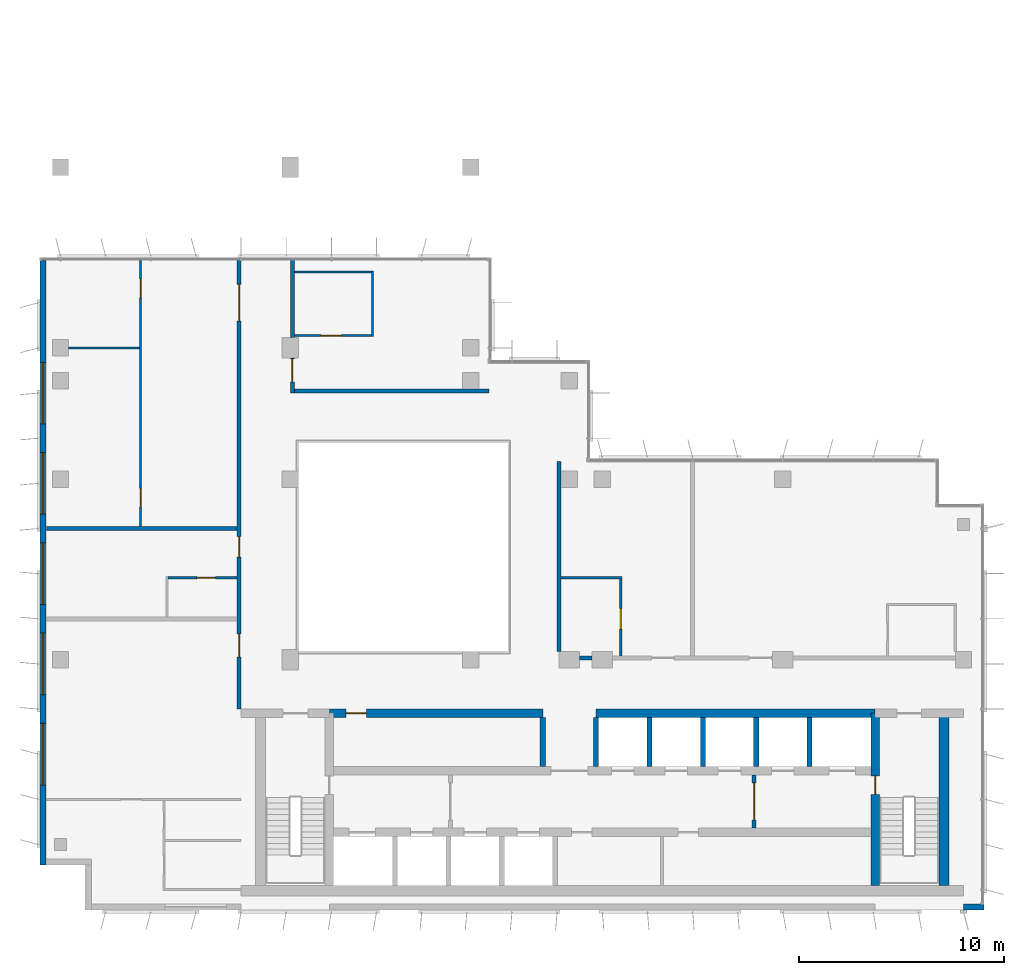
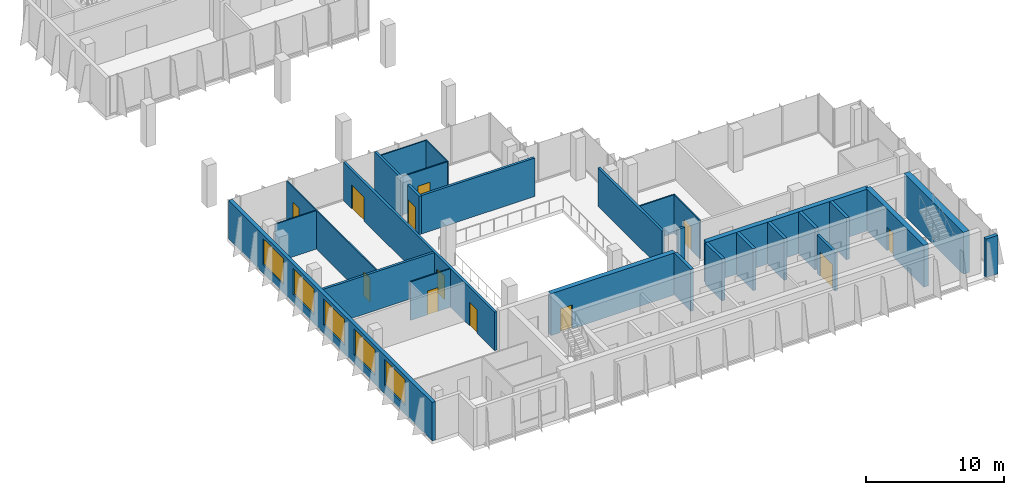
# One storey, part 10 of 14: 28 walls, 12 doors, 5 windows, 17 openings.
"""IFC4 building model written with IfcOpenShell, lengths in metres."""

from ifc_helpers import new_model, si_unit, direction, frame, frame_2d, origin, place, context, subcontext, project, spatial, rectangle, extrude, material, layer, layer_set, type_object, element, fill, save


model = new_model("IFC4")

# Units and contexts
model_context = context("Model", 3, precision=1e-05, world=origin(), true_north=direction((0.0, 1.0)))
body_context = subcontext(model_context, "Body", "Model", "MODEL_VIEW")
ifc_project = project(units=[si_unit("LENGTHUNIT", "METRE"), si_unit("AREAUNIT", "SQUARE_METRE"), si_unit("VOLUMEUNIT", "CUBIC_METRE"), si_unit("PLANEANGLEUNIT", "RADIAN"), si_unit("MASSUNIT", "GRAM", prefix="KILO")], contexts=[model_context])

# Site, building, storey
site_placement = place(None, origin())
site = spatial("IfcSite", under=ifc_project, at=site_placement, CompositionType="ELEMENT")
building_placement = place(site_placement, origin())
building = spatial("IfcBuilding", under=site, at=building_placement, Name="Kemantara Hotel Tower", CompositionType="ELEMENT")
storey_placement = place(building_placement, frame((0.0, 0.0, 248.699951171875)))
storey = spatial("IfcBuildingStorey", under=building, at=storey_placement, Name="L62", CompositionType="ELEMENT", Elevation=248.699951171875)

# Wall, openings, windows
ifc_material_1 = material(Name="Bronze anodised aluminium cladding on insulated steel stud wall", Category="steel")
ifc_layer_1 = layer(ifc_material_1, 0.300048828125)
ifc_layer_set_1 = layer_set([ifc_layer_1], Name="Bronze anodised aluminium cladding on insulated steel stud wall")
wall_type_1 = type_object("IfcWallType", Name="BRONZE METAL-CLAD EXTERNAL WALL 300", PredefinedType="STANDARD", material=ifc_layer_set_1)
wall_1_placement = place(storey_placement, frame((0.14990234375, 31.64990234375, 0.0), z_axis=(0.0, 0.0, 1.0), x_axis=(0.0, -1.0, 0.0)))
wall_1 = element("IfcWall", 1, at=wall_1_placement, inside=storey, type_object=wall_type_1, Name="EXTERNAL WALL L62 T4P-R02", PredefinedType="STANDARD", context=body_context, shape_type="SweptSolid", body=[
    extrude(rectangle(XDim=29.449951171875, YDim=0.300048828125, at=frame_2d((14.72509765625, 0.0))), origin(), (0.0, 0.0, 1.0), 3.400146484375),
])
opening_1_placement = place(wall_1_placement, frame((4.949951171875, 0.0, 0.75)))
opening_1 = element("IfcOpeningElement", 2, at=opening_1_placement, cuts=wall_1, Name="Opening W1", PredefinedType="OPENING", context=body_context, shape_type="SweptSolid", body=[
    extrude(rectangle(XDim=3.0, YDim=2.300048828125, at=frame_2d((1.5, 1.14990234375))), frame((0.0, 0.159912109375, 0.0), z_axis=(0.0, -1.0, 0.0), x_axis=(1.0, 0.0, 0.0)), (0.0, 0.0, 1.0), 0.320068359375),
])
opening_2_placement = place(wall_1_placement, frame((9.35009765625, 0.0, 0.75)))
opening_2 = element("IfcOpeningElement", 3, at=opening_2_placement, cuts=wall_1, Name="Opening W1", PredefinedType="OPENING", context=body_context, shape_type="SweptSolid", body=[
    extrude(rectangle(XDim=3.0, YDim=2.300048828125, at=frame_2d((1.5, 1.14990234375))), frame((0.0, 0.159912109375, 0.0), z_axis=(0.0, -1.0, 0.0), x_axis=(1.0, 0.0, 0.0)), (0.0, 0.0, 1.0), 0.320068359375),
])
opening_3_placement = place(wall_1_placement, frame((13.75, 0.0, 0.75)))
opening_3 = element("IfcOpeningElement", 4, at=opening_3_placement, cuts=wall_1, Name="Opening W1", PredefinedType="OPENING", context=body_context, shape_type="SweptSolid", body=[
    extrude(rectangle(XDim=3.0, YDim=2.300048828125, at=frame_2d((1.5, 1.14990234375))), frame((0.0, 0.159912109375, 0.0), z_axis=(0.0, -1.0, 0.0), x_axis=(1.0, 0.0, 0.0)), (0.0, 0.0, 1.0), 0.320068359375),
])
opening_4_placement = place(wall_1_placement, frame((18.14990234375, 0.0, 0.75)))
opening_4 = element("IfcOpeningElement", 5, at=opening_4_placement, cuts=wall_1, Name="Opening W1", PredefinedType="OPENING", context=body_context, shape_type="SweptSolid", body=[
    extrude(rectangle(XDim=3.0, YDim=2.300048828125, at=frame_2d((1.5, 1.14990234375))), frame((0.0, 0.159912109375, 0.0), z_axis=(0.0, -1.0, 0.0), x_axis=(1.0, 0.0, 0.0)), (0.0, 0.0, 1.0), 0.320068359375),
])
opening_5_placement = place(wall_1_placement, frame((22.550048828125, 0.0, 0.75)))
opening_5 = element("IfcOpeningElement", 6, at=opening_5_placement, cuts=wall_1, Name="Opening W1", PredefinedType="OPENING", context=body_context, shape_type="SweptSolid", body=[
    extrude(rectangle(XDim=3.0, YDim=2.300048828125, at=frame_2d((1.5, 1.14990234375))), frame((0.0, 0.159912109375, 0.0), z_axis=(0.0, -1.0, 0.0), x_axis=(1.0, 0.0, 0.0)), (0.0, 0.0, 1.0), 0.320068359375),
])
ifc_material_2 = material(Name="Low-E tinted double insulated glass in bronze anodised aluminium frame", Category="aluminium")
window_type = type_object("IfcWindowType", Name="CHICAGO WINDOW, TRIPLE PANEL 3000x2300", PartitioningType="TRIPLE_PANEL_VERTICAL", PredefinedType="WINDOW", material=ifc_material_2)
window_1_placement = place(opening_1_placement, origin())
window_1 = element("IfcWindow", 7, at=window_1_placement, inside=storey, type_object=window_type, Name="CHICAGO WINDOW L62 T4P-R02-66", OverallHeight=2.300048828125, OverallWidth=3.0, PartitioningType="SINGLE_PANEL", PredefinedType="WINDOW", context=body_context, shape_type="SweptSolid", body=[
    extrude(rectangle(XDim=3.0, YDim=2.300048828125, at=frame_2d((1.5, 1.14990234375))), frame((0.0, 0.030029296875, 0.0), z_axis=(0.0, -1.0, 0.0), x_axis=(1.0, 0.0, 0.0)), (0.0, 0.0, 1.0), 0.06005859375),
])
fill(opening_1, window_1)
window_2_placement = place(opening_2_placement, origin())
window_2 = element("IfcWindow", 8, at=window_2_placement, inside=storey, type_object=window_type, Name="CHICAGO WINDOW L62 T4P-R02-110", OverallHeight=2.300048828125, OverallWidth=3.0, PartitioningType="SINGLE_PANEL", PredefinedType="WINDOW", context=body_context, shape_type="SweptSolid", body=[
    extrude(rectangle(XDim=3.0, YDim=2.300048828125, at=frame_2d((1.5, 1.14990234375))), frame((0.0, 0.030029296875, 0.0), z_axis=(0.0, -1.0, 0.0), x_axis=(1.0, 0.0, 0.0)), (0.0, 0.0, 1.0), 0.06005859375),
])
fill(opening_2, window_2)
window_3_placement = place(opening_3_placement, origin())
window_3 = element("IfcWindow", 9, at=window_3_placement, inside=storey, type_object=window_type, Name="CHICAGO WINDOW L62 T4P-R02-154", OverallHeight=2.300048828125, OverallWidth=3.0, PartitioningType="SINGLE_PANEL", PredefinedType="WINDOW", context=body_context, shape_type="SweptSolid", body=[
    extrude(rectangle(XDim=3.0, YDim=2.300048828125, at=frame_2d((1.5, 1.14990234375))), frame((0.0, 0.030029296875, 0.0), z_axis=(0.0, -1.0, 0.0), x_axis=(1.0, 0.0, 0.0)), (0.0, 0.0, 1.0), 0.06005859375),
])
fill(opening_3, window_3)
window_4_placement = place(opening_4_placement, origin())
window_4 = element("IfcWindow", 10, at=window_4_placement, inside=storey, type_object=window_type, Name="CHICAGO WINDOW L62 T4P-R02-198", OverallHeight=2.300048828125, OverallWidth=3.0, PartitioningType="SINGLE_PANEL", PredefinedType="WINDOW", context=body_context, shape_type="SweptSolid", body=[
    extrude(rectangle(XDim=3.0, YDim=2.300048828125, at=frame_2d((1.5, 1.14990234375))), frame((0.0, 0.030029296875, 0.0), z_axis=(0.0, -1.0, 0.0), x_axis=(1.0, 0.0, 0.0)), (0.0, 0.0, 1.0), 0.06005859375),
])
fill(opening_4, window_4)
window_5_placement = place(opening_5_placement, origin())
window_5 = element("IfcWindow", 11, at=window_5_placement, inside=storey, type_object=window_type, Name="CHICAGO WINDOW L62 T4P-R02-242", OverallHeight=2.300048828125, OverallWidth=3.0, PartitioningType="SINGLE_PANEL", PredefinedType="WINDOW", context=body_context, shape_type="SweptSolid", body=[
    extrude(rectangle(XDim=3.0, YDim=2.300048828125, at=frame_2d((1.5, 1.14990234375))), frame((0.0, 0.030029296875, 0.0), z_axis=(0.0, -1.0, 0.0), x_axis=(1.0, 0.0, 0.0)), (0.0, 0.0, 1.0), 0.06005859375),
])
fill(opening_5, window_5)

# Walls
wall_2_placement = place(storey_placement, frame((45.0, 0.14990234375, 0.0), z_axis=(0.0, 0.0, 1.0), x_axis=(1.0, 0.0, 0.0)))
element("IfcWall", 12, at=wall_2_placement, inside=storey, type_object=wall_type_1, Name="EXTERNAL WALL L62 T4P-R05-3", PredefinedType="STANDARD", context=body_context, shape_type="SweptSolid", body=[
    extrude(rectangle(XDim=1.0, YDim=0.300048828125, at=frame_2d((0.5, 0.0))), origin(), (0.0, 0.0, 1.0), 3.400146484375),
])
ifc_material_3 = material(Name="Concrete fc 60 MPa", Category="concrete")
ifc_layer_2 = layer(ifc_material_3, 0.25)
ifc_layer_set_2 = layer_set([ifc_layer_2], Name="Concrete fc 60 MPa")
wall_type_2 = type_object("IfcWallType", Name="CORE WALL 250 FC60", PredefinedType="SHEAR", material=ifc_layer_set_2)
for number, where, z_axis, x_axis, name in (
    (13, (24.5, 7.0, 0.0), (0.0, 0.0, 1.0), (0.0, 1.0, 0.0), "CORE WALL CW-DN24.5"),
    (14, (27.10009765625, 7.0, 0.0), (0.0, 0.0, 1.0), (0.0, 1.0, 0.0), "CORE WALL CW-DN27.1"),
    (15, (29.699951171875, 7.0, 0.0), (0.0, 0.0, 1.0), (0.0, 1.0, 0.0), "CORE WALL CW-DN29.7"),
    (16, (32.300048828125, 7.0, 0.0), (0.0, 0.0, 1.0), (0.0, 1.0, 0.0), "CORE WALL CW-DN32.3"),
    (17, (34.89990234375, 7.0, 0.0), (0.0, 0.0, 1.0), (0.0, 1.0, 0.0), "CORE WALL CW-DN34.9"),
    (18, (37.5, 7.0, 0.0), (0.0, 0.0, 1.0), (0.0, 1.0, 0.0), "CORE WALL CW-DN37.5"),
):
    element("IfcWall", number, at=place(storey_placement, frame(where, z_axis=z_axis, x_axis=x_axis)), inside=storey, type_object=wall_type_2, Name=name, PredefinedType="SHEAR", context=body_context, shape_type="SweptSolid", body=[
        extrude(rectangle(XDim=2.39990234375, YDim=0.25, at=frame_2d((1.199951171875, 0.0))), origin(), (0.0, 0.0, 1.0), 3.699951171875),
    ])

# Wall, opening, door
ifc_layer_3 = layer(ifc_material_3, 0.39990234375)
ifc_layer_set_3 = layer_set([ifc_layer_3], Name="Concrete fc 60 MPa")
wall_type_3 = type_object("IfcWallType", Name="CORE WALL 400 FC60", PredefinedType="SHEAR", material=ifc_layer_set_3)
wall_3_placement = place(storey_placement, frame((14.10009765625, 9.60009765625, 0.0), z_axis=(0.0, 0.0, 1.0), x_axis=(1.0, 0.0, 0.0)))
wall_3 = element("IfcWall", 19, at=wall_3_placement, inside=storey, type_object=wall_type_3, Name="CORE WALL CW-NN1", PredefinedType="SHEAR", context=body_context, shape_type="SweptSolid", body=[
    extrude(rectangle(XDim=10.39990234375, YDim=0.39990234375, at=frame_2d((5.199951171875, 0.0))), origin(), (0.0, 0.0, 1.0), 3.699951171875),
])
opening_6_placement = place(wall_3_placement, frame((0.800048828125, 0.0, 0.0)))
opening_6 = element("IfcOpeningElement", 20, at=opening_6_placement, cuts=wall_3, Name="Opening C37-R-NW1", PredefinedType="OPENING", context=body_context, shape_type="SweptSolid", body=[
    extrude(rectangle(XDim=1.0, YDim=2.10009765625, at=frame_2d((0.5, 1.050048828125))), frame((0.0, 0.2099609375, 0.0), z_axis=(0.0, -1.0, 0.0), x_axis=(1.0, 0.0, 0.0)), (0.0, 0.0, 1.0), 0.419921875),
])
ifc_material_4 = material(Name="Steel fire door", Category="steel")
door_type_1 = type_object("IfcDoorType", Name="Fire door FD30S 1000 x 2100", OperationType="NOTDEFINED", PredefinedType="DOOR", material=ifc_material_4)
door_1_placement = place(opening_6_placement, frame((1.0, 0.0, 0.0), z_axis=(0.0, 0.0, 1.0), x_axis=(-1.0, 0.0, 0.0)))
door_1 = element("IfcDoor", 21, at=door_1_placement, inside=storey, type_object=door_type_1, Name="Housekeeping Store door", OperationType="SINGLE_SWING_RIGHT", OverallHeight=2.10009765625, OverallWidth=1.0, PredefinedType="DOOR", context=body_context, shape_type="SweptSolid", body=[
    extrude(rectangle(XDim=1.0, YDim=2.10009765625, at=frame_2d((0.5, 1.050048828125))), frame((0.0, 0.02490234375, 0.0), z_axis=(0.0, -1.0, 0.0), x_axis=(1.0, 0.0, 0.0)), (0.0, 0.0, 1.0), 0.050048828125),
])
fill(opening_6, door_1)

# Wall
wall_4_placement = place(storey_placement, frame((27.10009765625, 9.60009765625, 0.0), z_axis=(0.0, 0.0, 1.0), x_axis=(1.0, 0.0, 0.0)))
element("IfcWall", 22, at=wall_4_placement, inside=storey, type_object=wall_type_3, Name="CORE WALL CW-NN2", PredefinedType="SHEAR", context=body_context, shape_type="SweptSolid", body=[
    extrude(rectangle(XDim=13.599853515625, YDim=0.39990234375, at=frame_2d((6.7998046875, 0.0))), origin(), (0.0, 0.0, 1.0), 3.699951171875),
])

# Wall, opening, door
wall_5_placement = place(storey_placement, frame((40.699951171875, 1.199951171875, 0.0), z_axis=(0.0, 0.0, 1.0), x_axis=(0.0, 1.0, 0.0)))
wall_5 = element("IfcWall", 23, at=wall_5_placement, inside=storey, type_object=wall_type_3, Name="CORE WALL CW-ST2W", PredefinedType="SHEAR", context=body_context, shape_type="SweptSolid", body=[
    extrude(rectangle(XDim=8.400146484375, YDim=0.39990234375, at=frame_2d((4.2001953125, 0.0))), origin(), (0.0, 0.0, 1.0), 3.699951171875),
])
opening_7_placement = place(wall_5_placement, frame((4.449951171875, 0.0, 0.0)))
opening_7 = element("IfcOpeningElement", 24, at=opening_7_placement, cuts=wall_5, Name="Opening C37-ST2-F", PredefinedType="OPENING", context=body_context, shape_type="SweptSolid", body=[
    extrude(rectangle(XDim=0.89990234375, YDim=2.10009765625, at=frame_2d((0.449951171875, 1.050048828125))), frame((0.0, 0.2099609375, 0.0), z_axis=(0.0, -1.0, 0.0), x_axis=(1.0, 0.0, 0.0)), (0.0, 0.0, 1.0), 0.419921875),
])
door_type_2 = type_object("IfcDoorType", Name="Fire door FD90 900 x 2100", OperationType="NOTDEFINED", PredefinedType="DOOR", material=ifc_material_4)
door_2_placement = place(opening_7_placement, frame((0.89990234375, 0.0, 0.0), z_axis=(0.0, 0.0, 1.0), x_axis=(-1.0, 0.0, 0.0)))
door_2 = element("IfcDoor", 25, at=door_2_placement, inside=storey, type_object=door_type_2, Name="Stair ST2 door to firefighting lobby", OperationType="SINGLE_SWING_LEFT", OverallHeight=2.10009765625, OverallWidth=0.89990234375, PredefinedType="DOOR", context=body_context, shape_type="SweptSolid", body=[
    extrude(rectangle(XDim=0.89990234375, YDim=2.10009765625, at=frame_2d((0.449951171875, 1.050048828125))), frame((0.0, 0.02490234375, 0.0), z_axis=(0.0, -1.0, 0.0), x_axis=(1.0, 0.0, 0.0)), (0.0, 0.0, 1.0), 0.050048828125),
])
fill(opening_7, door_2)

# Walls
ifc_layer_4 = layer(ifc_material_3, 0.5)
ifc_layer_set_4 = layer_set([ifc_layer_4], Name="Concrete fc 60 MPa")
wall_type_4 = type_object("IfcWallType", Name="CORE WALL 500 FC60", PredefinedType="SHEAR", material=ifc_layer_set_4)
wall_6_placement = place(storey_placement, frame((44.050048828125, 1.199951171875, 0.0), z_axis=(0.0, 0.0, 1.0), x_axis=(0.0, 1.0, 0.0)))
element("IfcWall", 26, at=wall_6_placement, inside=storey, type_object=wall_type_4, Name="CORE WALL CW-E", PredefinedType="SHEAR", context=body_context, shape_type="SweptSolid", body=[
    extrude(rectangle(XDim=8.60009765625, YDim=0.5, at=frame_2d((4.300048828125, 0.0))), origin(), (0.0, 0.0, 1.0), 3.699951171875),
])
ifc_material_5 = material(Name="Gypsum board partition, steel studs and mineral wool, 200 mm", Category="steel")
ifc_layer_5 = layer(ifc_material_5, 0.199951171875)
ifc_layer_set_5 = layer_set([ifc_layer_5], Name="Gypsum board partition, steel studs and mineral wool, 200 mm")
wall_type_5 = type_object("IfcWallType", Name="CORRIDOR WALL 200", PredefinedType="PARTITIONING", material=ifc_layer_set_5)
wall_7_placement = place(storey_placement, frame((26.300048828125, 12.300048828125, 0.0), z_axis=(0.0, 0.0, 1.0), x_axis=(1.0, 0.0, 0.0)))
element("IfcWall", 27, at=wall_7_placement, inside=storey, type_object=wall_type_5, Name="CORRIDOR WALL 200 009", PredefinedType="PARTITIONING", context=body_context, shape_type="SweptSolid", body=[
    extrude(rectangle(XDim=0.599853515625, YDim=0.199951171875, at=frame_2d((0.2998046875, 0.0))), origin(), (0.0, 0.0, 1.0), 3.400146484375),
])

# Wall, openings, doors
wall_8_placement = place(storey_placement, frame((9.699951171875, 9.800048828125, 0.0), z_axis=(0.0, 0.0, 1.0), x_axis=(0.0, 1.0, 0.0)))
wall_8 = element("IfcWall", 28, at=wall_8_placement, inside=storey, type_object=wall_type_5, Name="CORRIDOR WALL 200 014", PredefinedType="PARTITIONING", context=body_context, shape_type="SweptSolid", body=[
    extrude(rectangle(XDim=21.8798828125, YDim=0.199951171875, at=frame_2d((10.93994140625, 0.0))), origin(), (0.0, 0.0, 1.0), 3.400146484375),
])
opening_8_placement = place(wall_8_placement, frame((2.550048828125, 0.0, 0.0)))
opening_8 = element("IfcOpeningElement", 29, at=opening_8_placement, cuts=wall_8, Name="Opening F31-005", PredefinedType="OPENING", context=body_context, shape_type="SweptSolid", body=[
    extrude(rectangle(XDim=1.10009765625, YDim=2.10009765625, at=frame_2d((0.550048828125, 1.050048828125))), frame((0.0, 0.10986328125, 0.0), z_axis=(0.0, -1.0, 0.0), x_axis=(1.0, 0.0, 0.0)), (0.0, 0.0, 1.0), 0.219970703125),
])
opening_9_placement = place(wall_8_placement, frame((7.39990234375, 0.0, 0.0)))
opening_9 = element("IfcOpeningElement", 30, at=opening_9_placement, cuts=wall_8, Name="Opening F31-009", PredefinedType="OPENING", context=body_context, shape_type="SweptSolid", body=[
    extrude(rectangle(XDim=1.0, YDim=2.10009765625, at=frame_2d((0.5, 1.050048828125))), frame((0.0, 0.10986328125, 0.0), z_axis=(0.0, -1.0, 0.0), x_axis=(1.0, 0.0, 0.0)), (0.0, 0.0, 1.0), 0.219970703125),
])
opening_10_placement = place(wall_8_placement, frame((18.89990234375, 0.0, 0.0)))
opening_10 = element("IfcOpeningElement", 31, at=opening_10_placement, cuts=wall_8, Name="Opening F31-011", PredefinedType="OPENING", context=body_context, shape_type="SweptSolid", body=[
    extrude(rectangle(XDim=1.800048828125, YDim=2.10009765625, at=frame_2d((0.89990234375, 1.050048828125))), frame((0.0, 0.10986328125, 0.0), z_axis=(0.0, -1.0, 0.0), x_axis=(1.0, 0.0, 0.0)), (0.0, 0.0, 1.0), 0.219970703125),
])
ifc_material_6 = material(Name="Hardwood veneer door leaf with steel frame", Category="steel")
door_type_3 = type_object("IfcDoorType", Name="AMENITY ROOM DOOR 1800 X 2100 FD30S", OperationType="NOTDEFINED", PredefinedType="DOOR", material=ifc_material_6)
door_3_placement = place(opening_10_placement, origin())
door_3 = element("IfcDoor", 32, at=door_3_placement, inside=storey, type_object=door_type_3, Name="AMENITY ROOM DOOR F31-011", OperationType="DOUBLE_DOOR_SINGLE_SWING", OverallHeight=2.10009765625, OverallWidth=1.800048828125, PredefinedType="DOOR", context=body_context, shape_type="SweptSolid", body=[
    extrude(rectangle(XDim=1.800048828125, YDim=2.10009765625, at=frame_2d((0.89990234375, 1.050048828125))), frame((0.0, 0.02490234375, 0.0), z_axis=(0.0, -1.0, 0.0), x_axis=(1.0, 0.0, 0.0)), (0.0, 0.0, 1.0), 0.050048828125),
])
fill(opening_10, door_3)
door_type_4 = type_object("IfcDoorType", Name="GUEST ROOM DOOR 1000 X 2100 FD30S", OperationType="NOTDEFINED", PredefinedType="DOOR", material=ifc_material_6)
door_4_placement = place(opening_9_placement, origin())
door_4 = element("IfcDoor", 33, at=door_4_placement, inside=storey, type_object=door_type_4, Name="GUEST ROOM DOOR F31-009", OperationType="SINGLE_SWING_RIGHT", OverallHeight=2.10009765625, OverallWidth=1.0, PredefinedType="DOOR", context=body_context, shape_type="SweptSolid", body=[
    extrude(rectangle(XDim=1.0, YDim=2.10009765625, at=frame_2d((0.5, 1.050048828125))), frame((0.0, 0.02490234375, 0.0), z_axis=(0.0, -1.0, 0.0), x_axis=(1.0, 0.0, 0.0)), (0.0, 0.0, 1.0), 0.050048828125),
])
fill(opening_9, door_4)
door_type_5 = type_object("IfcDoorType", Name="SUITE ENTRANCE DOOR 1100 X 2100 FD30S", OperationType="NOTDEFINED", PredefinedType="DOOR", material=ifc_material_6)
door_5_placement = place(opening_8_placement, origin())
door_5 = element("IfcDoor", 34, at=door_5_placement, inside=storey, type_object=door_type_5, Name="SUITE ENTRANCE DOOR F31-005", OperationType="SINGLE_SWING_RIGHT", OverallHeight=2.10009765625, OverallWidth=1.10009765625, PredefinedType="DOOR", context=body_context, shape_type="SweptSolid", body=[
    extrude(rectangle(XDim=1.10009765625, YDim=2.10009765625, at=frame_2d((0.550048828125, 1.050048828125))), frame((0.0, 0.02490234375, 0.0), z_axis=(0.0, -1.0, 0.0), x_axis=(1.0, 0.0, 0.0)), (0.0, 0.0, 1.0), 0.050048828125),
])
fill(opening_8, door_5)

# Wall, opening, door
wall_9_placement = place(storey_placement, frame((12.300048828125, 26.89990234375, 0.0), z_axis=(0.0, 0.0, 1.0), x_axis=(0.0, -1.0, 0.0)))
wall_9 = element("IfcWall", 35, at=wall_9_placement, inside=storey, type_object=wall_type_5, Name="CORRIDOR WALL 200 017", PredefinedType="PARTITIONING", context=body_context, shape_type="SweptSolid", body=[
    extrude(rectangle(XDim=1.699951171875, YDim=0.199951171875, at=frame_2d((0.85009765625, 0.0))), origin(), (0.0, 0.0, 1.0), 3.400146484375),
])
opening_11_placement = place(wall_9_placement, frame((0.0498046875, 0.0, 0.0)))
opening_11 = element("IfcOpeningElement", 36, at=opening_11_placement, cuts=wall_9, Name="Opening F31-014", PredefinedType="OPENING", context=body_context, shape_type="SweptSolid", body=[
    extrude(rectangle(XDim=1.10009765625, YDim=2.10009765625, at=frame_2d((0.550048828125, 1.050048828125))), frame((0.0, 0.10986328125, 0.0), z_axis=(0.0, -1.0, 0.0), x_axis=(1.0, 0.0, 0.0)), (0.0, 0.0, 1.0), 0.219970703125),
])
door_type_6 = type_object("IfcDoorType", Name="GUEST ROOM DOOR 1100 X 2100 FD30S", OperationType="NOTDEFINED", PredefinedType="DOOR", material=ifc_material_6)
door_6_placement = place(opening_11_placement, origin())
door_6 = element("IfcDoor", 37, at=door_6_placement, inside=storey, type_object=door_type_6, Name="GUEST ROOM DOOR F31-014", OperationType="SINGLE_SWING_RIGHT", OverallHeight=2.10009765625, OverallWidth=1.10009765625, PredefinedType="DOOR", context=body_context, shape_type="SweptSolid", body=[
    extrude(rectangle(XDim=1.10009765625, YDim=2.10009765625, at=frame_2d((0.550048828125, 1.050048828125))), frame((0.0, 0.02490234375, 0.0), z_axis=(0.0, -1.0, 0.0), x_axis=(1.0, 0.0, 0.0)), (0.0, 0.0, 1.0), 0.050048828125),
])
fill(opening_11, door_6)

# Walls
wall_10_placement = place(storey_placement, frame((12.300048828125, 27.900146484375, 0.0), z_axis=(0.0, 0.0, 1.0), x_axis=(0.0, 1.0, 0.0)))
element("IfcWall", 38, at=wall_10_placement, inside=storey, type_object=wall_type_5, Name="CORRIDOR WALL 200 018", PredefinedType="PARTITIONING", context=body_context, shape_type="SweptSolid", body=[
    extrude(rectangle(XDim=3.77978515625, YDim=0.199951171875, at=frame_2d((1.889892578125, 0.0))), origin(), (0.0, 0.0, 1.0), 3.400146484375),
])
ifc_layer_6 = layer(ifc_material_5, 0.199951171875)
ifc_layer_set_6 = layer_set([ifc_layer_6], Name="Gypsum board partition, steel studs and mineral wool, 200 mm")
wall_type_6 = type_object("IfcWallType", Name="GUEST ROOM PARTY WALL 200", PredefinedType="PARTITIONING", material=ifc_layer_set_6)
wall_11_placement = place(storey_placement, frame((25.300048828125, 12.60009765625, 0.0), z_axis=(0.0, 0.0, 1.0), x_axis=(0.0, 1.0, 0.0)))
element("IfcWall", 39, at=wall_11_placement, inside=storey, type_object=wall_type_6, Name="GUEST ROOM PARTY WALL 200 012", PredefinedType="PARTITIONING", context=body_context, shape_type="SweptSolid", body=[
    extrude(rectangle(XDim=9.27001953125, YDim=0.199951171875, at=frame_2d((4.635009765625, 0.0))), origin(), (0.0, 0.0, 1.0), 3.400146484375),
])
wall_12_placement = place(storey_placement, frame((0.31005859375, 18.60009765625, 0.0), z_axis=(0.0, 0.0, 1.0), x_axis=(1.0, 0.0, 0.0)))
element("IfcWall", 40, at=wall_12_placement, inside=storey, type_object=wall_type_6, Name="GUEST ROOM PARTY WALL 200 016", PredefinedType="PARTITIONING", context=body_context, shape_type="SweptSolid", body=[
    extrude(rectangle(XDim=9.2900390625, YDim=0.199951171875, at=frame_2d((4.64501953125, 0.0))), origin(), (0.0, 0.0, 1.0), 3.400146484375),
])
wall_13_placement = place(storey_placement, frame((12.39990234375, 25.300048828125, 0.0), z_axis=(0.0, 0.0, 1.0), x_axis=(1.0, 0.0, 0.0)))
element("IfcWall", 41, at=wall_13_placement, inside=storey, type_object=wall_type_6, Name="GUEST ROOM PARTY WALL 200 019", PredefinedType="PARTITIONING", context=body_context, shape_type="SweptSolid", body=[
    extrude(rectangle(XDim=9.47021484375, YDim=0.199951171875, at=frame_2d((4.735107421875, 0.0))), origin(), (0.0, 0.0, 1.0), 3.400146484375),
])

# Wall, opening, door
ifc_material_7 = material(Name="Gypsum board shaft wall")
ifc_layer_7 = layer(ifc_material_7, 0.199951171875)
ifc_layer_set_7 = layer_set([ifc_layer_7], Name="Gypsum board shaft wall")
wall_type_7 = type_object("IfcWallType", Name="Gypsum board shaft wall 200 mm", PredefinedType="PARTITIONING", material=ifc_layer_set_7)
wall_14_placement = place(storey_placement, frame((34.800048828125, 4.0, 0.0), z_axis=(0.0, 0.0, 1.0), x_axis=(0.0, 1.0, 0.0)))
wall_14 = element("IfcWall", 42, at=wall_14_placement, inside=storey, type_object=wall_type_7, Name="Firefighting lobby partition east", PredefinedType="PARTITIONING", context=body_context, shape_type="SweptSolid", body=[
    extrude(rectangle(XDim=2.60009765625, YDim=0.199951171875, at=frame_2d((1.300048828125, 0.0))), origin(), (0.0, 0.0, 1.0), 3.400146484375),
])
opening_12_placement = place(wall_14_placement, frame((0.39990234375, 0.0, 0.0)))
opening_12 = element("IfcOpeningElement", 43, at=opening_12_placement, cuts=wall_14, Name="Opening C37-FFE", PredefinedType="OPENING", context=body_context, shape_type="SweptSolid", body=[
    extrude(rectangle(XDim=1.800048828125, YDim=2.10009765625, at=frame_2d((0.89990234375, 1.050048828125))), frame((0.0, 0.10986328125, 0.0), z_axis=(0.0, -1.0, 0.0), x_axis=(1.0, 0.0, 0.0)), (0.0, 0.0, 1.0), 0.219970703125),
])
door_type_7 = type_object("IfcDoorType", Name="Fire door pair FD60 1800 x 2100", OperationType="DOUBLE_DOOR_SINGLE_SWING", PredefinedType="DOOR", material=ifc_material_4)
door_7_placement = place(opening_12_placement, frame((1.800048828125, 0.0, 0.0), z_axis=(0.0, 0.0, 1.0), x_axis=(-1.0, 0.0, 0.0)))
door_7 = element("IfcDoor", 44, at=door_7_placement, inside=storey, type_object=door_type_7, Name="Firefighting lobby door east", OperationType="DOUBLE_DOOR_SINGLE_SWING", OverallHeight=2.10009765625, OverallWidth=1.800048828125, PredefinedType="DOOR", context=body_context, shape_type="SweptSolid", body=[
    extrude(rectangle(XDim=1.800048828125, YDim=2.10009765625, at=frame_2d((0.89990234375, 1.050048828125))), frame((0.0, 0.02490234375, 0.0), z_axis=(0.0, -1.0, 0.0), x_axis=(1.0, 0.0, 0.0)), (0.0, 0.0, 1.0), 0.050048828125),
])
fill(opening_12, door_7)

ifc_material_8 = material(Name="Gypsum board partition on steel studs, 100 mm", Category="steel")
ifc_layer_8 = layer(ifc_material_8, 0.10009765625)
ifc_layer_set_8 = layer_set([ifc_layer_8], Name="Gypsum board partition on steel studs, 100 mm")
wall_type_8 = type_object("IfcWallType", Name="ROOM PARTITION 100", PredefinedType="PARTITIONING", material=ifc_layer_set_8)
wall_15_placement = place(storey_placement, frame((9.60009765625, 16.199951171875, 0.0), z_axis=(0.0, 0.0, 1.0), x_axis=(-1.0, 0.0, 0.0)))
wall_15 = element("IfcWall", 45, at=wall_15_placement, inside=storey, type_object=wall_type_8, Name="ROOM PARTITION 100 020", PredefinedType="PARTITIONING", context=body_context, shape_type="SweptSolid", body=[
    extrude(rectangle(XDim=3.35009765625, YDim=0.10009765625, at=frame_2d((1.675048828125, 0.0))), origin(), (0.0, 0.0, 1.0), 3.400146484375),
])
opening_13_placement = place(wall_15_placement, frame((1.050048828125, 0.0, 0.0)))
opening_13 = element("IfcOpeningElement", 46, at=opening_13_placement, cuts=wall_15, Name="Opening F31-010", PredefinedType="OPENING", context=body_context, shape_type="SweptSolid", body=[
    extrude(rectangle(XDim=0.89990234375, YDim=2.10009765625, at=frame_2d((0.449951171875, 1.050048828125))), frame((0.0, 0.06005859375, 0.0), z_axis=(0.0, -1.0, 0.0), x_axis=(1.0, 0.0, 0.0)), (0.0, 0.0, 1.0), 0.1201171875),
])
door_type_8 = type_object("IfcDoorType", Name="BATHROOM DOOR 900 X 2100", OperationType="NOTDEFINED", PredefinedType="DOOR", material=ifc_material_6)
door_8_placement = place(opening_13_placement, origin())
door_8 = element("IfcDoor", 47, at=door_8_placement, inside=storey, type_object=door_type_8, Name="BATHROOM DOOR F31-010", OperationType="SINGLE_SWING_LEFT", OverallHeight=2.10009765625, OverallWidth=0.89990234375, PredefinedType="DOOR", context=body_context, shape_type="SweptSolid", body=[
    extrude(rectangle(XDim=0.89990234375, YDim=2.10009765625, at=frame_2d((0.449951171875, 1.050048828125))), frame((0.0, 0.02490234375, 0.0), z_axis=(0.0, -1.0, 0.0), x_axis=(1.0, 0.0, 0.0)), (0.0, 0.0, 1.0), 0.050048828125),
])
fill(opening_13, door_8)

# Wall
wall_16_placement = place(storey_placement, frame((25.39990234375, 16.199951171875, 0.0), z_axis=(0.0, 0.0, 1.0), x_axis=(1.0, 0.0, 0.0)))
element("IfcWall", 48, at=wall_16_placement, inside=storey, type_object=wall_type_8, Name="ROOM PARTITION 100 021", PredefinedType="PARTITIONING", context=body_context, shape_type="SweptSolid", body=[
    extrude(rectangle(XDim=2.9501953125, YDim=0.10009765625, at=frame_2d((1.47509765625, 0.0))), origin(), (0.0, 0.0, 1.0), 3.400146484375),
])

# Wall, opening, door
wall_17_placement = place(storey_placement, frame((28.300048828125, 12.39990234375, 0.0), z_axis=(0.0, 0.0, 1.0), x_axis=(0.0, 1.0, 0.0)))
wall_17 = element("IfcWall", 49, at=wall_17_placement, inside=storey, type_object=wall_type_8, Name="ROOM PARTITION 100 022", PredefinedType="PARTITIONING", context=body_context, shape_type="SweptSolid", body=[
    extrude(rectangle(XDim=3.75, YDim=0.10009765625, at=frame_2d((1.875, 0.0))), origin(), (0.0, 0.0, 1.0), 3.400146484375),
])
opening_14_placement = place(wall_17_placement, frame((1.300048828125, 0.0, 0.0)))
opening_14 = element("IfcOpeningElement", 50, at=opening_14_placement, cuts=wall_17, Name="Opening F31-002", PredefinedType="OPENING", context=body_context, shape_type="SweptSolid", body=[
    extrude(rectangle(XDim=1.0, YDim=2.10009765625, at=frame_2d((0.5, 1.050048828125))), frame((0.0, 0.06005859375, 0.0), z_axis=(0.0, -1.0, 0.0), x_axis=(1.0, 0.0, 0.0)), (0.0, 0.0, 1.0), 0.1201171875),
])
door_type_9 = type_object("IfcDoorType", Name="BATHROOM DOOR 1000 X 2100", OperationType="NOTDEFINED", PredefinedType="DOOR", material=ifc_material_6)
door_9_placement = place(opening_14_placement, origin())
door_9 = element("IfcDoor", 51, at=door_9_placement, inside=storey, type_object=door_type_9, Name="BATHROOM DOOR F31-002", OperationType="SINGLE_SWING_LEFT", OverallHeight=2.10009765625, OverallWidth=1.0, PredefinedType="DOOR", context=body_context, shape_type="SweptSolid", body=[
    extrude(rectangle(XDim=1.0, YDim=2.10009765625, at=frame_2d((0.5, 1.050048828125))), frame((0.0, 0.02490234375, 0.0), z_axis=(0.0, -1.0, 0.0), x_axis=(1.0, 0.0, 0.0)), (0.0, 0.0, 1.0), 0.050048828125),
])
fill(opening_14, door_9)

# Wall, openings, doors
wall_18_placement = place(storey_placement, frame((4.89990234375, 18.699951171875, 0.0), z_axis=(0.0, 0.0, 1.0), x_axis=(0.0, 1.0, 0.0)))
wall_18 = element("IfcWall", 52, at=wall_18_placement, inside=storey, type_object=wall_type_8, Name="ROOM PARTITION 100 031", PredefinedType="PARTITIONING", context=body_context, shape_type="SweptSolid", body=[
    extrude(rectangle(XDim=12.969970703125, YDim=0.10009765625, at=frame_2d((6.48486328125, 0.0))), origin(), (0.0, 0.0, 1.0), 3.400146484375),
])
opening_15_placement = place(wall_18_placement, frame((11.14990234375, 0.0, 0.0)))
opening_15 = element("IfcOpeningElement", 53, at=opening_15_placement, cuts=wall_18, Name="Opening F31-012", PredefinedType="OPENING", context=body_context, shape_type="SweptSolid", body=[
    extrude(rectangle(XDim=0.89990234375, YDim=2.10009765625, at=frame_2d((0.449951171875, 1.050048828125))), frame((0.0, 0.06005859375, 0.0), z_axis=(0.0, -1.0, 0.0), x_axis=(1.0, 0.0, 0.0)), (0.0, 0.0, 1.0), 0.1201171875),
])
opening_16_placement = place(wall_18_placement, frame((0.949951171875, 0.0, 0.0)))
opening_16 = element("IfcOpeningElement", 54, at=opening_16_placement, cuts=wall_18, Name="Opening F31-013", PredefinedType="OPENING", context=body_context, shape_type="SweptSolid", body=[
    extrude(rectangle(XDim=0.89990234375, YDim=2.10009765625, at=frame_2d((0.449951171875, 1.050048828125))), frame((0.0, 0.06005859375, 0.0), z_axis=(0.0, -1.0, 0.0), x_axis=(1.0, 0.0, 0.0)), (0.0, 0.0, 1.0), 0.1201171875),
])
door_type_10 = type_object("IfcDoorType", Name="INTERNAL DOOR 900 X 2100", OperationType="NOTDEFINED", PredefinedType="DOOR", material=ifc_material_6)
door_10_placement = place(opening_15_placement, origin())
door_10 = element("IfcDoor", 55, at=door_10_placement, inside=storey, type_object=door_type_10, Name="INTERNAL DOOR F31-012", OperationType="SINGLE_SWING_RIGHT", OverallHeight=2.10009765625, OverallWidth=0.89990234375, PredefinedType="DOOR", context=body_context, shape_type="SweptSolid", body=[
    extrude(rectangle(XDim=0.89990234375, YDim=2.10009765625, at=frame_2d((0.449951171875, 1.050048828125))), frame((0.0, 0.02490234375, 0.0), z_axis=(0.0, -1.0, 0.0), x_axis=(1.0, 0.0, 0.0)), (0.0, 0.0, 1.0), 0.050048828125),
])
fill(opening_15, door_10)
door_11_placement = place(opening_16_placement, origin())
door_11 = element("IfcDoor", 56, at=door_11_placement, inside=storey, type_object=door_type_10, Name="INTERNAL DOOR F31-013", OperationType="SINGLE_SWING_LEFT", OverallHeight=2.10009765625, OverallWidth=0.89990234375, PredefinedType="DOOR", context=body_context, shape_type="SweptSolid", body=[
    extrude(rectangle(XDim=0.89990234375, YDim=2.10009765625, at=frame_2d((0.449951171875, 1.050048828125))), frame((0.0, 0.02490234375, 0.0), z_axis=(0.0, -1.0, 0.0), x_axis=(1.0, 0.0, 0.0)), (0.0, 0.0, 1.0), 0.050048828125),
])
fill(opening_16, door_11)

# Walls
wall_19_placement = place(storey_placement, frame((1.400146484375, 27.39990234375, 0.0), z_axis=(0.0, 0.0, 1.0), x_axis=(1.0, 0.0, 0.0)))
element("IfcWall", 57, at=wall_19_placement, inside=storey, type_object=wall_type_8, Name="ROOM PARTITION 100 032", PredefinedType="PARTITIONING", context=body_context, shape_type="SweptSolid", body=[
    extrude(rectangle(XDim=3.449951171875, YDim=0.10009765625, at=frame_2d((1.72509765625, 0.0))), origin(), (0.0, 0.0, 1.0), 3.400146484375),
])
wall_20_placement = place(storey_placement, frame((16.199951171875, 27.949951171875, 0.0), z_axis=(0.0, 0.0, 1.0), x_axis=(0.0, 1.0, 0.0)))
element("IfcWall", 58, at=wall_20_placement, inside=storey, type_object=wall_type_8, Name="ROOM PARTITION 100 033", PredefinedType="PARTITIONING", context=body_context, shape_type="SweptSolid", body=[
    extrude(rectangle(XDim=3.199951171875, YDim=0.10009765625, at=frame_2d((1.60009765625, 0.0))), origin(), (0.0, 0.0, 1.0), 3.400146484375),
])

# Wall, opening, door
wall_21_placement = place(storey_placement, frame((12.39990234375, 28.0, 0.0), z_axis=(0.0, 0.0, 1.0), x_axis=(1.0, 0.0, 0.0)))
wall_21 = element("IfcWall", 59, at=wall_21_placement, inside=storey, type_object=wall_type_8, Name="ROOM PARTITION 100 034", PredefinedType="PARTITIONING", context=body_context, shape_type="SweptSolid", body=[
    extrude(rectangle(XDim=3.75, YDim=0.10009765625, at=frame_2d((1.875, 0.0))), origin(), (0.0, 0.0, 1.0), 3.400146484375),
])
opening_17_placement = place(wall_21_placement, frame((1.300048828125, 0.0, 0.0)))
opening_17 = element("IfcOpeningElement", 60, at=opening_17_placement, cuts=wall_21, Name="Opening F31-015", PredefinedType="OPENING", context=body_context, shape_type="SweptSolid", body=[
    extrude(rectangle(XDim=1.0, YDim=2.10009765625, at=frame_2d((0.5, 1.050048828125))), frame((0.0, 0.06005859375, 0.0), z_axis=(0.0, -1.0, 0.0), x_axis=(1.0, 0.0, 0.0)), (0.0, 0.0, 1.0), 0.1201171875),
])
door_12_placement = place(opening_17_placement, origin())
door_12 = element("IfcDoor", 61, at=door_12_placement, inside=storey, type_object=door_type_9, Name="BATHROOM DOOR F31-015", OperationType="SINGLE_SWING_LEFT", OverallHeight=2.10009765625, OverallWidth=1.0, PredefinedType="DOOR", context=body_context, shape_type="SweptSolid", body=[
    extrude(rectangle(XDim=1.0, YDim=2.10009765625, at=frame_2d((0.5, 1.050048828125))), frame((0.0, 0.02490234375, 0.0), z_axis=(0.0, -1.0, 0.0), x_axis=(1.0, 0.0, 0.0)), (0.0, 0.0, 1.0), 0.050048828125),
])
fill(opening_17, door_12)

# Wall
wall_22_placement = place(storey_placement, frame((12.39990234375, 31.10009765625, 0.0), z_axis=(0.0, 0.0, 1.0), x_axis=(1.0, 0.0, 0.0)))
element("IfcWall", 62, at=wall_22_placement, inside=storey, type_object=wall_type_8, Name="ROOM PARTITION 100 035", PredefinedType="PARTITIONING", context=body_context, shape_type="SweptSolid", body=[
    extrude(rectangle(XDim=3.75, YDim=0.10009765625, at=frame_2d((1.875, 0.0))), origin(), (0.0, 0.0, 1.0), 3.400146484375),
])

save(model, "model.ifc")
